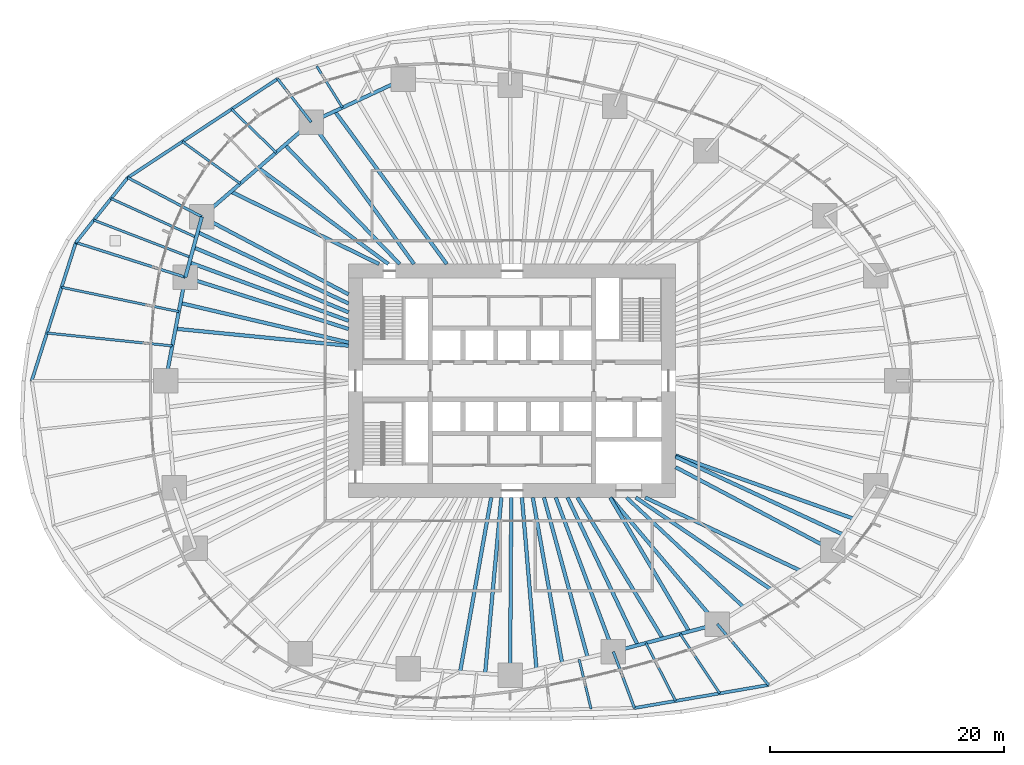
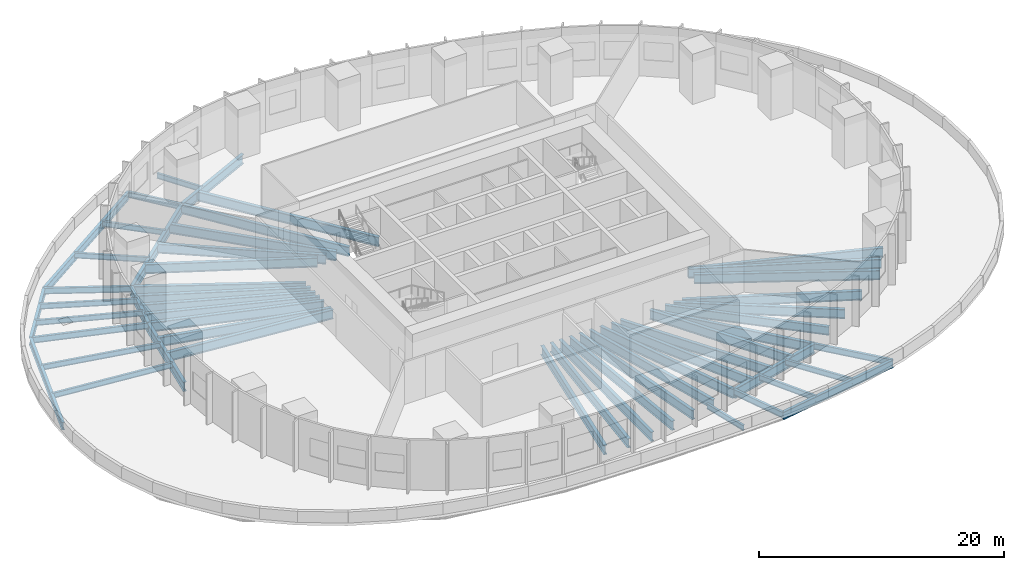
# One storey, part 2 of 11: 53 beams.
"""IFC4 building model written with IfcOpenShell, lengths in metres."""

from ifc_helpers import new_model, si_unit, direction, frame, origin, origin_2d, place, context, subcontext, project, spatial, i_section, extrude, material, material_profile, profile_set, type_object, element, save


model = new_model("IFC4")

# Units and contexts
model_context = context("Model", 3, precision=1e-05, world=origin(), true_north=direction((0.0, 1.0)))
body_context = subcontext(model_context, "Body", "Model", "MODEL_VIEW")
ifc_project = project(units=[si_unit("LENGTHUNIT", "METRE"), si_unit("AREAUNIT", "SQUARE_METRE"), si_unit("VOLUMEUNIT", "CUBIC_METRE"), si_unit("PLANEANGLEUNIT", "RADIAN"), si_unit("MASSUNIT", "GRAM", prefix="KILO")], contexts=[model_context])

# Site, building, storey
site_placement = place(None, origin())
site = spatial("IfcSite", under=ifc_project, at=site_placement, CompositionType="ELEMENT")
building_placement = place(site_placement, origin())
building = spatial("IfcBuilding", under=site, at=building_placement, Name="Ghaith Harvest Tower", CompositionType="ELEMENT")
storey_placement = place(building_placement, frame((0.0, 0.0, 15.0)))
storey = spatial("IfcBuildingStorey", under=building, at=storey_placement, Name="L03", CompositionType="ELEMENT", Elevation=15.0)

# Beams
ifc_material_1 = material(Name="Steel ASTM A992 Grade 50", Category="steel")
ifc_material_profile_1 = material_profile(ifc_material_1, i_section(OverallWidth=0.26806640625, OverallDepth=0.77001953125, WebThickness=0.015625, FlangeThickness=0.025390625, at=origin_2d()), Name="W760X196")
ifc_profile_set_1 = profile_set([ifc_material_profile_1], Name="Steel ASTM A992 Grade 50")
beam_type_1 = type_object("IfcBeamType", Name="E760-196 W760X196", PredefinedType="SPANDREL", material=ifc_profile_set_1)
beam_1_placement = place(storey_placement, frame((-20.08203125, 25.85791015625, -0.68505859375), z_axis=(-0.834903131348, -0.550396912478, 0.0), x_axis=(0.550396912478, -0.834903131348, 0.0)))
element("IfcBeam", 1, at=beam_1_placement, inside=storey, type_object=beam_type_1, Name="Podium edge beam PE08 L03", PredefinedType="SPANDREL", context=body_context, shape_type="SweptSolid", body=[
    extrude(i_section(OverallWidth=0.26806640625, OverallDepth=0.77001953125, WebThickness=0.015625, FlangeThickness=0.025390625, at=origin_2d()), origin(), (0.0, 0.0, 1.0), 15.37060546875),
])
beam_2_placement = place(storey_placement, frame((-32.9150390625, 17.39794921875, -0.68505859375), z_axis=(-0.624908352368, -0.780698117803, 0.0), x_axis=(0.780698117803, -0.624908352368, 0.0)))
element("IfcBeam", 2, at=beam_2_placement, inside=storey, type_object=beam_type_1, Name="Podium edge beam PE09 L03", PredefinedType="SPANDREL", context=body_context, shape_type="SweptSolid", body=[
    extrude(i_section(OverallWidth=0.26806640625, OverallDepth=0.77001953125, WebThickness=0.015625, FlangeThickness=0.025390625, at=origin_2d()), origin(), (0.0, 0.0, 1.0), 7.117919921875),
])
beam_3_placement = place(storey_placement, frame((-37.363037109375, 11.841064453125, -0.68505859375), z_axis=(-0.304039415226, -0.952659453314, 0.0), x_axis=(0.952659453314, -0.304039415226, 0.0)))
element("IfcBeam", 3, at=beam_3_placement, inside=storey, type_object=beam_type_1, Name="Podium edge beam PE10 L03", PredefinedType="SPANDREL", context=body_context, shape_type="SweptSolid", body=[
    extrude(i_section(OverallWidth=0.26806640625, OverallDepth=0.77001953125, WebThickness=0.015625, FlangeThickness=0.025390625, at=origin_2d()), origin(), (0.0, 0.0, 1.0), 12.429443359375),
])
beam_4_placement = place(storey_placement, frame((10.47705078125, -28.027099609375, -0.68505859375), z_axis=(0.985550037659, 0.169384542599, 0.0), x_axis=(-0.169384542599, 0.985550037659, 0.0)))
element("IfcBeam", 4, at=beam_4_placement, inside=storey, type_object=beam_type_1, Name="Podium edge beam PE17 L03", PredefinedType="SPANDREL", context=body_context, shape_type="SweptSolid", body=[
    extrude(i_section(OverallWidth=0.26806640625, OverallDepth=0.77001953125, WebThickness=0.015625, FlangeThickness=0.025390625, at=origin_2d()), origin(), (0.0, 0.0, 1.0), 11.660400390625),
])
ifc_material_2 = material(Name="Steel ASTM A992 Grade 50", Category="steel")
ifc_material_profile_2 = material_profile(ifc_material_2, i_section(OverallWidth=0.306884765625, OverallDepth=0.94189453125, WebThickness=0.022216796875, FlangeThickness=0.039794921875, at=origin_2d()), Name="W920X345")
ifc_profile_set_2 = profile_set([ifc_material_profile_2], Name="Steel ASTM A992 Grade 50")
beam_type_2 = type_object("IfcBeamType", Name="E920-345 W920X345", PredefinedType="SPANDREL", material=ifc_profile_set_2)
beam_5_placement = place(storey_placement, frame((-9.325927734375, 25.821044921875, -0.77099609375), z_axis=(-0.906373259523, -0.422477827137, 0.0), x_axis=(0.422477827137, -0.906373259523, 0.0)))
element("IfcBeam", 5, at=beam_5_placement, inside=storey, type_object=beam_type_2, Name="Edge beam E07 L03", PredefinedType="SPANDREL", context=body_context, shape_type="SweptSolid", body=[
    extrude(i_section(OverallWidth=0.306884765625, OverallDepth=0.94189453125, WebThickness=0.022216796875, FlangeThickness=0.039794921875, at=origin_2d()), origin(), (0.0, 0.0, 1.0), 8.689453125),
])
beam_6_placement = place(storey_placement, frame((-17.201904296875, 22.14990234375, -0.77099609375), z_axis=(-0.756392158274, -0.654118416574, 0.0), x_axis=(0.654118416574, -0.756392158274, 0.0)))
element("IfcBeam", 6, at=beam_6_placement, inside=storey, type_object=beam_type_2, Name="Edge beam E08 L03", PredefinedType="SPANDREL", context=body_context, shape_type="SweptSolid", body=[
    extrude(i_section(OverallWidth=0.306884765625, OverallDepth=0.94189453125, WebThickness=0.022216796875, FlangeThickness=0.039794921875, at=origin_2d()), origin(), (0.0, 0.0, 1.0), 12.38916015625),
])
beam_7_placement = place(storey_placement, frame((-26.572998046875, 14.0458984375, -0.77099609375), z_axis=(-0.262724740433, -0.964870825947, 0.0), x_axis=(0.964870825947, -0.262724740433, 0.0)))
element("IfcBeam", 7, at=beam_7_placement, inside=storey, type_object=beam_type_2, Name="Edge beam E09 L03", PredefinedType="SPANDREL", context=body_context, shape_type="SweptSolid", body=[
    extrude(i_section(OverallWidth=0.306884765625, OverallDepth=0.94189453125, WebThickness=0.022216796875, FlangeThickness=0.039794921875, at=origin_2d()), origin(), (0.0, 0.0, 1.0), 5.366455078125),
])
beam_8_placement = place(storey_placement, frame((-27.98291015625, 8.867919921875, -0.77099609375), z_axis=(-0.187433949108, -0.982277208695, 0.0), x_axis=(0.982277208695, -0.187433949108, 0.0)))
element("IfcBeam", 8, at=beam_8_placement, inside=storey, type_object=beam_type_2, Name="Edge beam E10 L03", PredefinedType="SPANDREL", context=body_context, shape_type="SweptSolid", body=[
    extrude(i_section(OverallWidth=0.306884765625, OverallDepth=0.94189453125, WebThickness=0.022216796875, FlangeThickness=0.039794921875, at=origin_2d()), origin(), (0.0, 0.0, 1.0), 9.02783203125),
])
beam_9_placement = place(storey_placement, frame((8.674072265625, -23.202880859375, -0.77099609375), z_axis=(0.966419097109, 0.256971065963, 0.0), x_axis=(-0.256971065963, 0.966419097109, 0.0)))
element("IfcBeam", 9, at=beam_9_placement, inside=storey, type_object=beam_type_2, Name="Edge beam E17 L03", PredefinedType="SPANDREL", context=body_context, shape_type="SweptSolid", body=[
    extrude(i_section(OverallWidth=0.306884765625, OverallDepth=0.94189453125, WebThickness=0.022216796875, FlangeThickness=0.039794921875, at=origin_2d()), origin(), (0.0, 0.0, 1.0), 9.20703125),
])
ifc_material_3 = material(Name="Steel ASTM A992 Grade 50", Category="steel")
ifc_material_profile_3 = material_profile(ifc_material_3, i_section(OverallWidth=0.22802734375, OverallDepth=0.60302734375, WebThickness=0.010498046875, FlangeThickness=0.014892578125, at=origin_2d()), Name="W610X101")
ifc_profile_set_3 = profile_set([ifc_material_profile_3], Name="Steel ASTM A992 Grade 50")
beam_type_3 = type_object("IfcBeamType", Name="G610-101 W610X101", PredefinedType="BEAM", material=ifc_profile_set_3)
beam_10_placement = place(storey_placement, frame((-17.201904296875, 22.14990234375, -0.6015625), z_axis=(-0.613425698315, 0.789752437569, 0.0), x_axis=(-0.789752437569, -0.613425698315, 0.0)))
element("IfcBeam", 10, at=beam_10_placement, inside=storey, type_object=beam_type_3, Name="Podium radial beam PR08 L03", PredefinedType="BEAM", context=body_context, shape_type="SweptSolid", body=[
    extrude(i_section(OverallWidth=0.22802734375, OverallDepth=0.60302734375, WebThickness=0.010498046875, FlangeThickness=0.014892578125, at=origin_2d()), origin(), (0.0, 0.0, 1.0), 4.695068359375),
])
beam_11_placement = place(storey_placement, frame((-26.572998046875, 14.0458984375, -0.6015625), z_axis=(-0.8841047828, 0.467288704155, 0.0), x_axis=(-0.467288704155, -0.8841047828, 0.0)))
element("IfcBeam", 11, at=beam_11_placement, inside=storey, type_object=beam_type_3, Name="Podium radial beam PR09 L03", PredefinedType="BEAM", context=body_context, shape_type="SweptSolid", body=[
    extrude(i_section(OverallWidth=0.22802734375, OverallDepth=0.60302734375, WebThickness=0.010498046875, FlangeThickness=0.014892578125, at=origin_2d()), origin(), (0.0, 0.0, 1.0), 7.17333984375),
])
beam_12_placement = place(storey_placement, frame((-27.98291015625, 8.867919921875, -0.6015625), z_axis=(-0.953261143594, 0.302147632979, 0.0), x_axis=(-0.302147632979, -0.953261143594, 0.0)))
element("IfcBeam", 12, at=beam_12_placement, inside=storey, type_object=beam_type_3, Name="Podium radial beam PR10 L03", PredefinedType="BEAM", context=body_context, shape_type="SweptSolid", body=[
    extrude(i_section(OverallWidth=0.22802734375, OverallDepth=0.60302734375, WebThickness=0.010498046875, FlangeThickness=0.014892578125, at=origin_2d()), origin(), (0.0, 0.0, 1.0), 9.840087890625),
])
beam_13_placement = place(storey_placement, frame((8.674072265625, -23.202880859375, -0.6015625), z_axis=(0.350084216782, -0.936718229331, 0.0), x_axis=(0.936718229331, 0.350084216782, 0.0)))
element("IfcBeam", 13, at=beam_13_placement, inside=storey, type_object=beam_type_3, Name="Podium radial beam PR17 L03", PredefinedType="BEAM", context=body_context, shape_type="SweptSolid", body=[
    extrude(i_section(OverallWidth=0.22802734375, OverallDepth=0.60302734375, WebThickness=0.010498046875, FlangeThickness=0.014892578125, at=origin_2d()), origin(), (0.0, 0.0, 1.0), 5.150146484375),
])
beam_14_placement = place(storey_placement, frame((17.572021484375, -20.8369140625, -0.6015625), z_axis=(0.644591920097, -0.764526818722, 0.0), x_axis=(0.764526818722, 0.644591920097, 0.0)))
element("IfcBeam", 14, at=beam_14_placement, inside=storey, type_object=beam_type_3, Name="Podium radial beam PR18 L03", PredefinedType="BEAM", context=body_context, shape_type="SweptSolid", body=[
    extrude(i_section(OverallWidth=0.22802734375, OverallDepth=0.60302734375, WebThickness=0.010498046875, FlangeThickness=0.014892578125, at=origin_2d()), origin(), (0.0, 0.0, 1.0), 6.8212890625),
])
ifc_material_4 = material(Name="Steel ASTM A992 Grade 50", Category="steel")
ifc_material_profile_4 = material_profile(ifc_material_4, i_section(OverallWidth=0.306884765625, OverallDepth=0.94189453125, WebThickness=0.022216796875, FlangeThickness=0.039794921875, at=origin_2d()), Name="W920X345")
ifc_profile_set_4 = profile_set([ifc_material_profile_4], Name="Steel ASTM A992 Grade 50")
beam_type_4 = type_object("IfcBeamType", Name="G920-345 W920X345", PredefinedType="BEAM", material=ifc_profile_set_4)
beam_15_placement = place(storey_placement, frame((-8.39990234375, 10.0, -0.77099609375), z_axis=(-0.586675813287, 0.809821887889, 0.0), x_axis=(-0.809821887889, -0.586675813287, 0.0)))
element("IfcBeam", 15, at=beam_15_placement, inside=storey, type_object=beam_type_4, Name="Radial girder G08 L03", PredefinedType="BEAM", context=body_context, shape_type="SweptSolid", body=[
    extrude(i_section(OverallWidth=0.306884765625, OverallDepth=0.94189453125, WebThickness=0.022216796875, FlangeThickness=0.039794921875, at=origin_2d()), origin(), (0.0, 0.0, 1.0), 15.003173828125),
])
beam_16_placement = place(storey_placement, frame((-14.0, 7.39990234375, -0.77099609375), z_axis=(-0.88408713845, 0.467322085533, 0.0), x_axis=(-0.467322085533, -0.88408713845, 0.0)))
element("IfcBeam", 16, at=beam_16_placement, inside=storey, type_object=beam_type_4, Name="Radial girder G09 L03", PredefinedType="BEAM", context=body_context, shape_type="SweptSolid", body=[
    extrude(i_section(OverallWidth=0.306884765625, OverallDepth=0.94189453125, WebThickness=0.022216796875, FlangeThickness=0.039794921875, at=origin_2d()), origin(), (0.0, 0.0, 1.0), 14.221435546875),
])
beam_17_placement = place(storey_placement, frame((-14.0, 4.43701171875, -0.77099609375), z_axis=(-0.953283605796, 0.302076756671, 0.0), x_axis=(-0.302076756671, -0.953283605796, 0.0)))
element("IfcBeam", 17, at=beam_17_placement, inside=storey, type_object=beam_type_4, Name="Radial girder G10 L03", PredefinedType="BEAM", context=body_context, shape_type="SweptSolid", body=[
    extrude(i_section(OverallWidth=0.306884765625, OverallDepth=0.94189453125, WebThickness=0.022216796875, FlangeThickness=0.039794921875, at=origin_2d()), origin(), (0.0, 0.0, 1.0), 14.668212890625),
])
beam_18_placement = place(storey_placement, frame((-0.068359375, -10.0, -0.77099609375), z_axis=(-0.006879467722, -0.999976336182, 0.0), x_axis=(0.999976336182, -0.006879467722, 0.0)))
element("IfcBeam", 18, at=beam_18_placement, inside=storey, type_object=beam_type_4, Name="Radial girder G16 L03", PredefinedType="BEAM", context=body_context, shape_type="SweptSolid", body=[
    extrude(i_section(OverallWidth=0.306884765625, OverallDepth=0.94189453125, WebThickness=0.022216796875, FlangeThickness=0.039794921875, at=origin_2d()), origin(), (0.0, 0.0, 1.0), 15.224365234375),
])
beam_19_placement = place(storey_placement, frame((3.73828125, -10.0, -0.77099609375), z_axis=(0.350172283717, -0.936685310932, 0.0), x_axis=(0.936685310932, 0.350172283717, 0.0)))
element("IfcBeam", 19, at=beam_19_placement, inside=storey, type_object=beam_type_4, Name="Radial girder G17 L03", PredefinedType="BEAM", context=body_context, shape_type="SweptSolid", body=[
    extrude(i_section(OverallWidth=0.306884765625, OverallDepth=0.94189453125, WebThickness=0.022216796875, FlangeThickness=0.039794921875, at=origin_2d()), origin(), (0.0, 0.0, 1.0), 14.09521484375),
])
beam_20_placement = place(storey_placement, frame((8.4326171875, -10.0, -0.77099609375), z_axis=(0.644696130938, -0.764438943771, 0.0), x_axis=(0.764438943771, 0.644696130938, 0.0)))
element("IfcBeam", 20, at=beam_20_placement, inside=storey, type_object=beam_type_4, Name="Radial girder G18 L03", PredefinedType="BEAM", context=body_context, shape_type="SweptSolid", body=[
    extrude(i_section(OverallWidth=0.306884765625, OverallDepth=0.94189453125, WebThickness=0.022216796875, FlangeThickness=0.039794921875, at=origin_2d()), origin(), (0.0, 0.0, 1.0), 14.17626953125),
])
beam_21_placement = place(storey_placement, frame((14.0, -7.39990234375, -0.77099609375), z_axis=(0.884084425997, -0.467327216959, 0.0), x_axis=(0.467327216959, 0.884084425997, 0.0)))
element("IfcBeam", 21, at=beam_21_placement, inside=storey, type_object=beam_type_4, Name="Radial girder G19 L03", PredefinedType="BEAM", context=body_context, shape_type="SweptSolid", body=[
    extrude(i_section(OverallWidth=0.306884765625, OverallDepth=0.94189453125, WebThickness=0.022216796875, FlangeThickness=0.039794921875, at=origin_2d()), origin(), (0.0, 0.0, 1.0), 15.21240234375),
])
ifc_material_5 = material(Name="Steel ASTM A992 Grade 50", Category="steel")
ifc_material_profile_5 = material_profile(ifc_material_5, i_section(OverallWidth=0.208984375, OverallDepth=0.532958984375, WebThickness=0.01025390625, FlangeThickness=0.015625, at=origin_2d()), Name="W530X92")
ifc_profile_set_5 = profile_set([ifc_material_profile_5], Name="Steel ASTM A992 Grade 50")
beam_type_5 = type_object("IfcBeamType", Name="J530-92 W530X92", PredefinedType="JOIST", material=ifc_profile_set_5)
beam_22_placement = place(storey_placement, frame((-14.52978515625, 23.3955078125, -0.56640625), z_axis=(-0.527546331282, 0.849526261131, 0.0), x_axis=(-0.849526261131, -0.527546331282, 0.0)))
element("IfcBeam", 22, at=beam_22_placement, inside=storey, type_object=beam_type_5, Name="Podium joist PJ07.2 L03", PredefinedType="JOIST", context=body_context, shape_type="SweptSolid", body=[
    extrude(i_section(OverallWidth=0.208984375, OverallDepth=0.532958984375, WebThickness=0.01025390625, FlangeThickness=0.015625, at=origin_2d()), origin(), (0.0, 0.0, 1.0), 4.17333984375),
])
beam_23_placement = place(storey_placement, frame((-20.203857421875, 19.55419921875, -0.56640625), z_axis=(-0.718570348361, 0.695454279199, 0.0), x_axis=(-0.695454279199, -0.718570348361, 0.0)))
element("IfcBeam", 23, at=beam_23_placement, inside=storey, type_object=beam_type_5, Name="Podium joist PJ08.1 L03", PredefinedType="JOIST", context=body_context, shape_type="SweptSolid", body=[
    extrude(i_section(OverallWidth=0.208984375, OverallDepth=0.532958984375, WebThickness=0.01025390625, FlangeThickness=0.015625, at=origin_2d()), origin(), (0.0, 0.0, 1.0), 5.322998046875),
])
beam_24_placement = place(storey_placement, frame((-23.2822265625, 16.891845703125, -0.56640625), z_axis=(-0.809415524638, 0.587236331025, 0.0), x_axis=(-0.587236331025, -0.809415524638, 0.0)))
element("IfcBeam", 24, at=beam_24_placement, inside=storey, type_object=beam_type_5, Name="Podium joist PJ08.2 L03", PredefinedType="JOIST", context=body_context, shape_type="SweptSolid", body=[
    extrude(i_section(OverallWidth=0.208984375, OverallDepth=0.532958984375, WebThickness=0.01025390625, FlangeThickness=0.015625, at=origin_2d()), origin(), (0.0, 0.0, 1.0), 6.1171875),
])
beam_25_placement = place(storey_placement, frame((-27.051025390625, 12.29052734375, -0.56640625), z_axis=(-0.910432176639, 0.413658375644, 0.0), x_axis=(-0.413658375644, -0.910432176639, 0.0)))
element("IfcBeam", 25, at=beam_25_placement, inside=storey, type_object=beam_type_5, Name="Podium joist PJ09.1 L03", PredefinedType="JOIST", context=body_context, shape_type="SweptSolid", body=[
    extrude(i_section(OverallWidth=0.208984375, OverallDepth=0.532958984375, WebThickness=0.01025390625, FlangeThickness=0.015625, at=origin_2d()), origin(), (0.0, 0.0, 1.0), 8.01611328125),
])
beam_26_placement = place(storey_placement, frame((-27.519775390625, 10.569091796875, -0.56640625), z_axis=(-0.933526495842, 0.358508412121, 0.0), x_axis=(-0.358508412121, -0.933526495842, 0.0)))
element("IfcBeam", 26, at=beam_26_placement, inside=storey, type_object=beam_type_5, Name="Podium joist PJ09.2 L03", PredefinedType="JOIST", context=body_context, shape_type="SweptSolid", body=[
    extrude(i_section(OverallWidth=0.208984375, OverallDepth=0.532958984375, WebThickness=0.01025390625, FlangeThickness=0.015625, at=origin_2d()), origin(), (0.0, 0.0, 1.0), 8.899169921875),
])
beam_27_placement = place(storey_placement, frame((-28.544921875, 5.92333984375, -0.56640625), z_axis=(-0.979141522755, 0.203179424199, 0.0), x_axis=(-0.203179424199, -0.979141522755, 0.0)))
element("IfcBeam", 27, at=beam_27_placement, inside=storey, type_object=beam_type_5, Name="Podium joist PJ10.1 L03", PredefinedType="JOIST", context=body_context, shape_type="SweptSolid", body=[
    extrude(i_section(OverallWidth=0.208984375, OverallDepth=0.532958984375, WebThickness=0.01025390625, FlangeThickness=0.015625, at=origin_2d()), origin(), (0.0, 0.0, 1.0), 10.255615234375),
])
beam_28_placement = place(storey_placement, frame((-29.10498046875, 2.98779296875, -0.56640625), z_axis=(-0.994771127078, 0.102129352939, 0.0), x_axis=(-0.102129352939, -0.994771127078, 0.0)))
element("IfcBeam", 28, at=beam_28_placement, inside=storey, type_object=beam_type_5, Name="Podium joist PJ10.2 L03", PredefinedType="JOIST", context=body_context, shape_type="SweptSolid", body=[
    extrude(i_section(OverallWidth=0.208984375, OverallDepth=0.532958984375, WebThickness=0.01025390625, FlangeThickness=0.015625, at=origin_2d()), origin(), (0.0, 0.0, 1.0), 10.788330078125),
])
beam_29_placement = place(storey_placement, frame((5.746337890625, -23.871826171875, -0.56640625), z_axis=(0.23401555596, -0.972232852546, 0.0), x_axis=(0.972232852546, 0.23401555596, 0.0)))
element("IfcBeam", 29, at=beam_29_placement, inside=storey, type_object=beam_type_5, Name="Podium joist PJ16.2 L03", PredefinedType="JOIST", context=body_context, shape_type="SweptSolid", body=[
    extrude(i_section(OverallWidth=0.208984375, OverallDepth=0.532958984375, WebThickness=0.01025390625, FlangeThickness=0.015625, at=origin_2d()), origin(), (0.0, 0.0, 1.0), 4.353515625),
])
beam_30_placement = place(storey_placement, frame((11.46630859375, -22.46044921875, -0.56640625), z_axis=(0.454718723068, -0.890635100864, 0.0), x_axis=(0.890635100864, 0.454718723068, 0.0)))
element("IfcBeam", 30, at=beam_30_placement, inside=storey, type_object=beam_type_5, Name="Podium joist PJ17.1 L03", PredefinedType="JOIST", context=body_context, shape_type="SweptSolid", body=[
    extrude(i_section(OverallWidth=0.208984375, OverallDepth=0.532958984375, WebThickness=0.01025390625, FlangeThickness=0.015625, at=origin_2d()), origin(), (0.0, 0.0, 1.0), 5.5703125),
])
beam_31_placement = place(storey_placement, frame((14.400390625, -21.680419921875, -0.56640625), z_axis=(0.553289005986, -0.832989361189, 0.0), x_axis=(0.832989361189, 0.553289005986, 0.0)))
element("IfcBeam", 31, at=beam_31_placement, inside=storey, type_object=beam_type_5, Name="Podium joist PJ17.2 L03", PredefinedType="JOIST", context=body_context, shape_type="SweptSolid", body=[
    extrude(i_section(OverallWidth=0.208984375, OverallDepth=0.532958984375, WebThickness=0.01025390625, FlangeThickness=0.015625, at=origin_2d()), origin(), (0.0, 0.0, 1.0), 6.11181640625),
])
ifc_material_6 = material(Name="Steel ASTM A992 Grade 50", Category="steel")
ifc_material_profile_6 = material_profile(ifc_material_6, i_section(OverallWidth=0.2939453125, OverallDepth=0.85107421875, WebThickness=0.01611328125, FlangeThickness=0.02685546875, at=origin_2d()), Name="W840X226")
ifc_profile_set_6 = profile_set([ifc_material_profile_6], Name="Steel ASTM A992 Grade 50")
beam_type_6 = type_object("IfcBeamType", Name="J840-226 W840X226", PredefinedType="JOIST", material=ifc_profile_set_6)
beam_32_placement = place(storey_placement, frame((9.800048828125, -10.0, -0.7255859375), z_axis=(0.72994990542, -0.683500647825, 0.0), x_axis=(0.683500647825, 0.72994990542, 0.0)))
element("IfcBeam", 32, at=beam_32_placement, inside=storey, type_object=beam_type_6, Name="Joist J18.1 L03", PredefinedType="JOIST", context=body_context, shape_type="SweptSolid", body=[
    extrude(i_section(OverallWidth=0.2939453125, OverallDepth=0.85107421875, WebThickness=0.01611328125, FlangeThickness=0.02685546875, at=origin_2d()), origin(), (0.0, 0.0, 1.0), 13.7392578125),
])
ifc_material_7 = material(Name="Steel ASTM A992 Grade 50", Category="steel")
ifc_material_profile_7 = material_profile(ifc_material_7, i_section(OverallWidth=0.31005859375, OverallDepth=0.927001953125, WebThickness=0.019287109375, FlangeThickness=0.031982421875, at=origin_2d()), Name="W920X289")
ifc_profile_set_7 = profile_set([ifc_material_profile_7], Name="Steel ASTM A992 Grade 50")
beam_type_7 = type_object("IfcBeamType", Name="J920-289 W920X289", PredefinedType="JOIST", material=ifc_profile_set_7)
beam_33_placement = place(storey_placement, frame((-10.60009765625, 10.0, -0.763427734375), z_axis=(-0.803663089107, 0.595084564752, 0.0), x_axis=(-0.595084564752, -0.803663089107, 0.0)))
element("IfcBeam", 33, at=beam_33_placement, inside=storey, type_object=beam_type_7, Name="Joist J08.2 L03", PredefinedType="JOIST", context=body_context, shape_type="SweptSolid", body=[
    extrude(i_section(OverallWidth=0.31005859375, OverallDepth=0.927001953125, WebThickness=0.019287109375, FlangeThickness=0.031982421875, at=origin_2d()), origin(), (0.0, 0.0, 1.0), 13.843505859375),
])
beam_34_placement = place(storey_placement, frame((-11.39990234375, 10.0, -0.763427734375), z_axis=(-0.898274832354, 0.439434096946, 0.0), x_axis=(-0.439434096946, -0.898274832354, 0.0)))
element("IfcBeam", 34, at=beam_34_placement, inside=storey, type_object=beam_type_7, Name="Joist J08.3 L03", PredefinedType="JOIST", context=body_context, shape_type="SweptSolid", body=[
    extrude(i_section(OverallWidth=0.31005859375, OverallDepth=0.927001953125, WebThickness=0.019287109375, FlangeThickness=0.031982421875, at=origin_2d()), origin(), (0.0, 0.0, 1.0), 14.114990234375),
])
beam_35_placement = place(storey_placement, frame((-14.0, 6.614990234375, -0.763427734375), z_axis=(-0.904153428261, 0.427207886354, 0.0), x_axis=(-0.427207886354, -0.904153428261, 0.0)))
element("IfcBeam", 35, at=beam_35_placement, inside=storey, type_object=beam_type_7, Name="Joist J09.1 L03", PredefinedType="JOIST", context=body_context, shape_type="SweptSolid", body=[
    extrude(i_section(OverallWidth=0.31005859375, OverallDepth=0.927001953125, WebThickness=0.019287109375, FlangeThickness=0.031982421875, at=origin_2d()), origin(), (0.0, 0.0, 1.0), 14.303466796875),
])
beam_36_placement = place(storey_placement, frame((-14.0, 5.862548828125, -0.763427734375), z_axis=(-0.922385943167, 0.38626955853, 0.0), x_axis=(-0.38626955853, -0.922385943167, 0.0)))
element("IfcBeam", 36, at=beam_36_placement, inside=storey, type_object=beam_type_7, Name="Joist J09.2 L03", PredefinedType="JOIST", context=body_context, shape_type="SweptSolid", body=[
    extrude(i_section(OverallWidth=0.31005859375, OverallDepth=0.927001953125, WebThickness=0.019287109375, FlangeThickness=0.031982421875, at=origin_2d()), origin(), (0.0, 0.0, 1.0), 14.404296875),
])
beam_37_placement = place(storey_placement, frame((-14.0, 5.137939453125, -0.763427734375), z_axis=(-0.93877541132, 0.344529718748, 0.0), x_axis=(-0.344529718748, -0.93877541132, 0.0)))
element("IfcBeam", 37, at=beam_37_placement, inside=storey, type_object=beam_type_7, Name="Joist J09.3 L03", PredefinedType="JOIST", context=body_context, shape_type="SweptSolid", body=[
    extrude(i_section(OverallWidth=0.31005859375, OverallDepth=0.927001953125, WebThickness=0.019287109375, FlangeThickness=0.031982421875, at=origin_2d()), origin(), (0.0, 0.0, 1.0), 14.525390625),
])
beam_38_placement = place(storey_placement, frame((-14.0, 3.280517578125, -0.763427734375), z_axis=(-0.973623012228, 0.228162727151, 0.0), x_axis=(-0.228162727151, -0.973623012228, 0.0)))
element("IfcBeam", 38, at=beam_38_placement, inside=storey, type_object=beam_type_7, Name="Joist J10.1 L03", PredefinedType="JOIST", context=body_context, shape_type="SweptSolid", body=[
    extrude(i_section(OverallWidth=0.31005859375, OverallDepth=0.927001953125, WebThickness=0.019287109375, FlangeThickness=0.031982421875, at=origin_2d()), origin(), (0.0, 0.0, 1.0), 14.795166015625),
])
beam_39_placement = place(storey_placement, frame((-14.0, 3.0, -0.763427734375), z_axis=(-0.995196704135, 0.097895454848, 0.0), x_axis=(-0.097895454848, -0.995196704135, 0.0)))
element("IfcBeam", 39, at=beam_39_placement, inside=storey, type_object=beam_type_7, Name="Joist J10.2 L03", PredefinedType="JOIST", context=body_context, shape_type="SweptSolid", body=[
    extrude(i_section(OverallWidth=0.31005859375, OverallDepth=0.927001953125, WebThickness=0.019287109375, FlangeThickness=0.031982421875, at=origin_2d()), origin(), (0.0, 0.0, 1.0), 14.89599609375),
])
beam_40_placement = place(storey_placement, frame((-1.785888671875, -10.0, -0.763427734375), z_axis=(-0.175792307544, -0.984427277461, 0.0), x_axis=(0.984427277461, -0.175792307544, 0.0)))
element("IfcBeam", 40, at=beam_40_placement, inside=storey, type_object=beam_type_7, Name="Joist J15.2 L03", PredefinedType="JOIST", context=body_context, shape_type="SweptSolid", body=[
    extrude(i_section(OverallWidth=0.31005859375, OverallDepth=0.927001953125, WebThickness=0.019287109375, FlangeThickness=0.031982421875, at=origin_2d()), origin(), (0.0, 0.0, 1.0), 15.18798828125),
])
beam_41_placement = place(storey_placement, frame((-0.92041015625, -10.0, -0.763427734375), z_axis=(-0.091651457116, -0.995791147987, 0.0), x_axis=(0.995791147987, -0.091651457116, 0.0)))
element("IfcBeam", 41, at=beam_41_placement, inside=storey, type_object=beam_type_7, Name="Joist J15.3 L03", PredefinedType="JOIST", context=body_context, shape_type="SweptSolid", body=[
    extrude(i_section(OverallWidth=0.31005859375, OverallDepth=0.927001953125, WebThickness=0.019287109375, FlangeThickness=0.031982421875, at=origin_2d()), origin(), (0.0, 0.0, 1.0), 15.151611328125),
])
beam_42_placement = place(storey_placement, frame((0.844970703125, -10.0, -0.763427734375), z_axis=(0.084208979751, -0.996448115924, 0.0), x_axis=(0.996448115924, 0.084208979751, 0.0)))
element("IfcBeam", 42, at=beam_42_placement, inside=storey, type_object=beam_type_7, Name="Joist J16.1 L03", PredefinedType="JOIST", context=body_context, shape_type="SweptSolid", body=[
    extrude(i_section(OverallWidth=0.31005859375, OverallDepth=0.927001953125, WebThickness=0.019287109375, FlangeThickness=0.031982421875, at=origin_2d()), origin(), (0.0, 0.0, 1.0), 14.760009765625),
])
beam_43_placement = place(storey_placement, frame((1.772705078125, -10.0, -0.763427734375), z_axis=(0.174552818486, -0.98464781194, 0.0), x_axis=(0.98464781194, 0.174552818486, 0.0)))
element("IfcBeam", 43, at=beam_43_placement, inside=storey, type_object=beam_type_7, Name="Joist J16.2 L03", PredefinedType="JOIST", context=body_context, shape_type="SweptSolid", body=[
    extrude(i_section(OverallWidth=0.31005859375, OverallDepth=0.927001953125, WebThickness=0.019287109375, FlangeThickness=0.031982421875, at=origin_2d()), origin(), (0.0, 0.0, 1.0), 14.42578125),
])
beam_44_placement = place(storey_placement, frame((2.73095703125, -10.0, -0.763427734375), z_axis=(0.263463446032, -0.964669379946, 0.0), x_axis=(0.964669379946, 0.263463446032, 0.0)))
element("IfcBeam", 44, at=beam_44_placement, inside=storey, type_object=beam_type_7, Name="Joist J16.3 L03", PredefinedType="JOIST", context=body_context, shape_type="SweptSolid", body=[
    extrude(i_section(OverallWidth=0.31005859375, OverallDepth=0.927001953125, WebThickness=0.019287109375, FlangeThickness=0.031982421875, at=origin_2d()), origin(), (0.0, 0.0, 1.0), 14.20751953125),
])
beam_45_placement = place(storey_placement, frame((4.75, -10.0, -0.763427734375), z_axis=(0.429067127754, -0.903272605519, 0.0), x_axis=(0.903272605519, 0.429067127754, 0.0)))
element("IfcBeam", 45, at=beam_45_placement, inside=storey, type_object=beam_type_7, Name="Joist J17.1 L03", PredefinedType="JOIST", context=body_context, shape_type="SweptSolid", body=[
    extrude(i_section(OverallWidth=0.31005859375, OverallDepth=0.927001953125, WebThickness=0.019287109375, FlangeThickness=0.031982421875, at=origin_2d()), origin(), (0.0, 0.0, 1.0), 14.003173828125),
])
beam_46_placement = place(storey_placement, frame((5.60009765625, -10.0, -0.763427734375), z_axis=(0.517828660199, -0.855484353262, 0.0), x_axis=(0.855484353262, 0.517828660199, 0.0)))
element("IfcBeam", 46, at=beam_46_placement, inside=storey, type_object=beam_type_7, Name="Joist J17.2 L03", PredefinedType="JOIST", context=body_context, shape_type="SweptSolid", body=[
    extrude(i_section(OverallWidth=0.31005859375, OverallDepth=0.927001953125, WebThickness=0.019287109375, FlangeThickness=0.031982421875, at=origin_2d()), origin(), (0.0, 0.0, 1.0), 14.11669921875),
])
beam_47_placement = place(storey_placement, frame((8.39990234375, -10.0, -0.763427734375), z_axis=(0.507894375661, -0.861419353841, 0.0), x_axis=(0.861419353841, 0.507894375661, 0.0)))
element("IfcBeam", 47, at=beam_47_placement, inside=storey, type_object=beam_type_7, Name="Joist J17.3 L03", PredefinedType="JOIST", context=body_context, shape_type="SweptSolid", body=[
    extrude(i_section(OverallWidth=0.31005859375, OverallDepth=0.927001953125, WebThickness=0.019287109375, FlangeThickness=0.031982421875, at=origin_2d()), origin(), (0.0, 0.0, 1.0), 13.32275390625),
])
beam_48_placement = place(storey_placement, frame((10.60009765625, -10.0, -0.763427734375), z_axis=(0.826982555637, -0.562227580853, 0.0), x_axis=(0.562227580853, 0.826982555637, 0.0)))
element("IfcBeam", 48, at=beam_48_placement, inside=storey, type_object=beam_type_7, Name="Joist J18.2 L03", PredefinedType="JOIST", context=body_context, shape_type="SweptSolid", body=[
    extrude(i_section(OverallWidth=0.31005859375, OverallDepth=0.927001953125, WebThickness=0.019287109375, FlangeThickness=0.031982421875, at=origin_2d()), origin(), (0.0, 0.0, 1.0), 14.013671875),
])
beam_49_placement = place(storey_placement, frame((11.39990234375, -10.0, -0.763427734375), z_axis=(0.904709580205, -0.426028843489, 0.0), x_axis=(0.426028843489, 0.904709580205, 0.0)))
element("IfcBeam", 49, at=beam_49_placement, inside=storey, type_object=beam_type_7, Name="Joist J18.3 L03", PredefinedType="JOIST", context=body_context, shape_type="SweptSolid", body=[
    extrude(i_section(OverallWidth=0.31005859375, OverallDepth=0.927001953125, WebThickness=0.019287109375, FlangeThickness=0.031982421875, at=origin_2d()), origin(), (0.0, 0.0, 1.0), 14.708251953125),
])
beam_50_placement = place(storey_placement, frame((14.0, -6.506103515625, -0.763427734375), z_axis=(0.906865804441, -0.421419521067, 0.0), x_axis=(0.421419521067, 0.906865804441, 0.0)))
element("IfcBeam", 50, at=beam_50_placement, inside=storey, type_object=beam_type_7, Name="Joist J19.1 L03", PredefinedType="JOIST", context=body_context, shape_type="SweptSolid", body=[
    extrude(i_section(OverallWidth=0.31005859375, OverallDepth=0.927001953125, WebThickness=0.019287109375, FlangeThickness=0.031982421875, at=origin_2d()), origin(), (0.0, 0.0, 1.0), 15.824462890625),
])
ifc_material_8 = material(Name="Steel ASTM A992 Grade 50", Category="steel")
ifc_material_profile_8 = material_profile(ifc_material_8, i_section(OverallWidth=0.306884765625, OverallDepth=0.94189453125, WebThickness=0.022216796875, FlangeThickness=0.039794921875, at=origin_2d()), Name="W920X345")
ifc_profile_set_8 = profile_set([ifc_material_profile_8], Name="Steel ASTM A992 Grade 50")
beam_type_8 = type_object("IfcBeamType", Name="J920-345 W920X345", PredefinedType="JOIST", material=ifc_profile_set_8)
beam_51_placement = place(storey_placement, frame((-5.60009765625, 10.0, -0.77099609375), z_axis=(-0.591008736068, 0.806665155992, 0.0), x_axis=(-0.806665155992, -0.591008736068, 0.0)))
element("IfcBeam", 51, at=beam_51_placement, inside=storey, type_object=beam_type_8, Name="Joist J07.3 L03", PredefinedType="JOIST", context=body_context, shape_type="SweptSolid", body=[
    extrude(i_section(OverallWidth=0.306884765625, OverallDepth=0.94189453125, WebThickness=0.022216796875, FlangeThickness=0.039794921875, at=origin_2d()), origin(), (0.0, 0.0, 1.0), 16.22509765625),
])
beam_52_placement = place(storey_placement, frame((-9.626708984375, 10.0, -0.77099609375), z_axis=(-0.693535693616, 0.720422266231, 0.0), x_axis=(-0.720422266231, -0.693535693616, 0.0)))
element("IfcBeam", 52, at=beam_52_placement, inside=storey, type_object=beam_type_8, Name="Joist J08.1 L03", PredefinedType="JOIST", context=body_context, shape_type="SweptSolid", body=[
    extrude(i_section(OverallWidth=0.306884765625, OverallDepth=0.94189453125, WebThickness=0.022216796875, FlangeThickness=0.039794921875, at=origin_2d()), origin(), (0.0, 0.0, 1.0), 14.16552734375),
])
beam_53_placement = place(storey_placement, frame((14.0, -6.39990234375, -0.77099609375), z_axis=(0.942399857711, -0.334488427581, 0.0), x_axis=(0.334488427581, 0.942399857711, 0.0)))
element("IfcBeam", 53, at=beam_53_placement, inside=storey, type_object=beam_type_8, Name="Joist J19.2 L03", PredefinedType="JOIST", context=body_context, shape_type="SweptSolid", body=[
    extrude(i_section(OverallWidth=0.306884765625, OverallDepth=0.94189453125, WebThickness=0.022216796875, FlangeThickness=0.039794921875, at=origin_2d()), origin(), (0.0, 0.0, 1.0), 16.199951171875),
])

save(model, "model.ifc")
